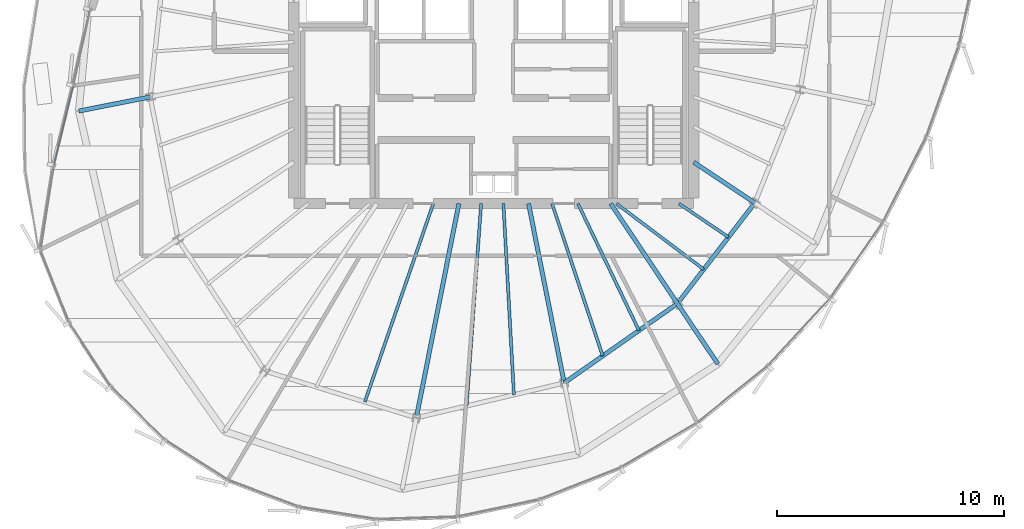
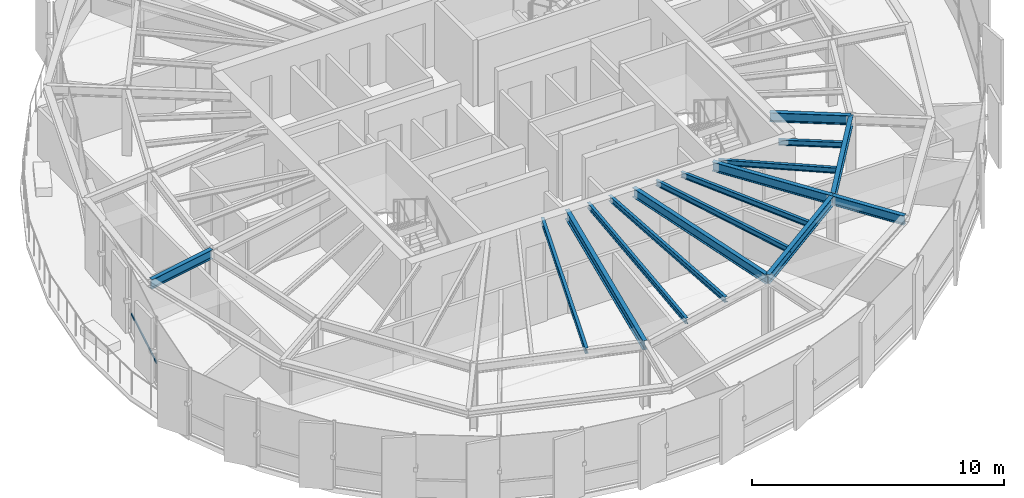
# One storey, part 8 of 36: 15 beams, 1 member, 1 element without a shape of its own.
"""IFC4 building model written with IfcOpenShell, lengths in metres."""

import ifcopenshell
import ifcopenshell.guid

model = None  # the IFC model being written
_history = None  # IfcOwnerHistory: only IFC2X3 demands one
_inside = {}  # id of a spatial element -> (the spatial element, [elements in it])
_under = {}  # id of a project, library or spatial element -> (it, [spatial elements below it])
_declared = {}  # id of a project -> (the project, [libraries it declares])
_typed = {}  # id of a type object -> (the type object, [elements of that type])
_made_of = {}  # id of a material, layer set ... -> (it, [elements and type objects made of it])


def new_model(schema):
    """Start an empty IFC model of exactly this schema.

    Asked for "IFC4X3", IfcOpenShell would pick the latest addendum, in which some entities
    have other attributes; the version numbers below select the first issue.
    IFC2X3 requires an IfcOwnerHistory on every rooted entity: one is made here for all.
    """
    global model, _history
    if schema == "IFC4X3":
        model = ifcopenshell.file(schema_version=(4, 3, 0, 0))
    else:
        model = ifcopenshell.file(schema=schema)
    _inside.clear()
    _under.clear()
    _declared.clear()
    _typed.clear()
    _made_of.clear()
    _history = None
    if model.schema == "IFC2X3":
        org = make("IfcOrganization", Name="unknown")
        user = make(
            "IfcPersonAndOrganization",
            ThePerson=make("IfcPerson", FamilyName="unknown"),
            TheOrganization=org,
        )
        app = make(
            "IfcApplication",
            ApplicationDeveloper=org,
            Version="unknown",
            ApplicationFullName="unknown",
            ApplicationIdentifier="unknown",
        )
        _history = make(
            "IfcOwnerHistory",
            OwningUser=user,
            OwningApplication=app,
            ChangeAction="ADDED",
            CreationDate=0,
        )
    return model


def make(cls, **values):
    """One entity of the class cls with the attributes given. An attribute that is None is left unset."""
    return model.create_entity(
        cls, **{name: value for name, value in values.items() if value is not None}
    )


def rooted(cls, **values):
    """An entity with a GlobalId (a new one), such as an element, a storey or a relation."""
    return make(cls, GlobalId=ifcopenshell.guid.new(), OwnerHistory=_history, **values)


def si_unit(unit_type, name, prefix=None):
    """IfcSIUnit, for example si_unit("LENGTHUNIT", "METRE", prefix="MILLI")."""
    return make("IfcSIUnit", UnitType=unit_type, Prefix=prefix, Name=name)


def assignment(units):
    """IfcUnitAssignment: the units of a project."""
    return None if units is None else make("IfcUnitAssignment", Units=units)


def point(xyz):
    """IfcCartesianPoint."""
    return None if xyz is None else make("IfcCartesianPoint", Coordinates=xyz)


def direction(xyz):
    """IfcDirection."""
    return None if xyz is None else make("IfcDirection", DirectionRatios=xyz)


def frame(location, z_axis=None, x_axis=None):
    """IfcAxis2Placement3D, a coordinate frame: its origin and axes. An axis left out is left unset."""
    return make(
        "IfcAxis2Placement3D",
        Location=point(location),
        Axis=direction(z_axis),
        RefDirection=direction(x_axis),
    )


def frame_2d(location, x_axis=None):
    """IfcAxis2Placement2D, a coordinate frame in the plane: its origin and x axis."""
    return make(
        "IfcAxis2Placement2D", Location=point(location), RefDirection=direction(x_axis)
    )


def origin():
    """The frame at (0, 0, 0) with its axes left unset."""
    return frame((0.0, 0.0, 0.0))


def origin_2d():
    """The frame at (0, 0) in the plane with its x axis left unset."""
    return frame_2d((0.0, 0.0))


def place(relative_to, where):
    """IfcLocalPlacement: puts the frame where relative to a parent placement (None: the world)."""
    return make(
        "IfcLocalPlacement", PlacementRelTo=relative_to, RelativePlacement=where
    )


def context(
    kind, dimensions, precision=None, world=None, true_north=None, identifier=None
):
    """IfcGeometricRepresentationContext, for example the 3D "Model" context."""
    return make(
        "IfcGeometricRepresentationContext",
        ContextIdentifier=identifier,
        ContextType=kind,
        CoordinateSpaceDimension=dimensions,
        Precision=precision,
        WorldCoordinateSystem=world,
        TrueNorth=true_north,
    )


def subcontext(parent, identifier, kind, view, scale=None):
    """IfcGeometricRepresentationSubContext, for example "Body" below "Model"."""
    return make(
        "IfcGeometricRepresentationSubContext",
        ContextIdentifier=identifier,
        ContextType=kind,
        ParentContext=parent,
        TargetScale=scale,
        TargetView=view,
    )


def project(units=None, contexts=None):
    """IfcProject with its units and contexts."""
    return rooted(
        "IfcProject",
        Name="project",
        RepresentationContexts=contexts,
        UnitsInContext=assignment(units),
    )


def spatial(cls, under=None, at=None, **own):
    """A site, building, storey or space (cls), placed at a placement, below another one or the project."""
    s = rooted(cls, ObjectPlacement=at, **own)
    if under is not None:
        _under.setdefault(under.id(), (under, []))[1].append(s)
    return s


def profile(cls, at=None, kind="AREA", **sizes):
    """A parametric profile (cls). Its sizes go by their IFC names, for example OverallWidth=200.0."""
    return make(cls, ProfileType=kind, Position=at, **sizes)


def hollow_rectangle(**sizes):
    """IfcRectangleHollowProfileDef."""
    return profile("IfcRectangleHollowProfileDef", **sizes)


def i_section(**sizes):
    """IfcIShapeProfileDef."""
    return profile("IfcIShapeProfileDef", **sizes)


def extrude(swept, where, along, depth):
    """IfcExtrudedAreaSolid: the profile swept, set in the frame where, extruded along a direction by depth."""
    return make(
        "IfcExtrudedAreaSolid",
        SweptArea=swept,
        Position=where,
        ExtrudedDirection=direction(along),
        Depth=depth,
    )


def shape(context_of_items, identifier, shape_type, items):
    """IfcShapeRepresentation: the items that make up one representation, for example the "Body"."""
    return make(
        "IfcShapeRepresentation",
        ContextOfItems=context_of_items,
        RepresentationIdentifier=identifier,
        RepresentationType=shape_type,
        Items=items,
    )


def source(mapping_origin, context_of_items, identifier, shape_type, items):
    """IfcRepresentationMap: a shape defined once, which mapped items show again and again."""
    return make(
        "IfcRepresentationMap",
        MappingOrigin=mapping_origin,
        MappedRepresentation=shape(context_of_items, identifier, shape_type, items),
    )


def transform(
    local_origin,
    x_axis=None,
    y_axis=None,
    z_axis=None,
    scale=None,
    scale2=None,
    scale3=None,
    uniform=True,
):
    """IfcCartesianTransformationOperator3D, or its non-uniform kind. x_axis, y_axis, z_axis: its Axis1, 2, 3."""
    if uniform:
        return make(
            "IfcCartesianTransformationOperator3D",
            Axis1=direction(x_axis),
            Axis2=direction(y_axis),
            LocalOrigin=point(local_origin),
            Scale=scale,
            Axis3=direction(z_axis),
        )
    return make(
        "IfcCartesianTransformationOperator3DnonUniform",
        Axis1=direction(x_axis),
        Axis2=direction(y_axis),
        LocalOrigin=point(local_origin),
        Scale=scale,
        Axis3=direction(z_axis),
        Scale2=scale2,
        Scale3=scale3,
    )


def mapped(mapping_source, mapping_target):
    """IfcMappedItem: shows the shape of a source again, moved by a transform."""
    return make(
        "IfcMappedItem", MappingSource=mapping_source, MappingTarget=mapping_target
    )


def material(Name=None, Category=None):
    """IfcMaterial."""
    return make("IfcMaterial", Name=Name, Category=Category)


def layer(
    of_material, thickness, ventilated=None, Name=None, Category=None, Priority=None
):
    """IfcMaterialLayer: one layer of a wall or slab, of a material (None: an air gap)."""
    return make(
        "IfcMaterialLayer",
        Material=of_material,
        LayerThickness=thickness,
        IsVentilated=ventilated,
        Name=Name,
        Category=Category,
        Priority=Priority,
    )


def layer_set(layers, Name=None):
    """IfcMaterialLayerSet."""
    return make("IfcMaterialLayerSet", MaterialLayers=layers, LayerSetName=Name)


def material_profile(
    of_material, cross_section, Name=None, Category=None, Priority=None
):
    """IfcMaterialProfile: a cross section and its material."""
    return make(
        "IfcMaterialProfile",
        Name=Name,
        Material=of_material,
        Profile=cross_section,
        Priority=Priority,
        Category=Category,
    )


def profile_set(profiles, Name=None, composite=None):
    """IfcMaterialProfileSet."""
    return make(
        "IfcMaterialProfileSet",
        Name=Name,
        MaterialProfiles=profiles,
        CompositeProfile=composite,
    )


def made_of(thing, what):
    """Note that an element or type object is made of a material, layer set ...; save() writes the relation."""
    if what is not None:
        _made_of.setdefault(what.id(), (what, []))[1].append(thing)
    return thing


def type_object(cls, material=None, **own):
    """A type object (cls), such as IfcWallType, which elements share."""
    return made_of(rooted(cls, **own), material)


def element(
    cls,
    number,
    at=None,
    inside=None,
    cuts=None,
    type_object=None,
    material=None,
    context=None,
    identifier="Body",
    shape_type=None,
    held_by="IfcProductDefinitionShape",
    body=None,
    shapes=None,
    **own,
):
    """One element of the class cls, such as IfcWall. Its Tag is "e" and its number.

    at: its placement. inside: the storey or other place that contains it. cuts: it is an
    opening in that element (IfcRelVoidsElement). A single representation is given by context,
    identifier, shape_type and body (its items); several are given by shapes. held_by: the class
    of the entity that holds the representations. save() writes the other relations.
    """
    e = rooted(cls, Tag="e%d" % number, ObjectPlacement=at, **own)
    if body is not None:
        shapes = [shape(context, identifier, shape_type, body)]
    if shapes is not None:
        e.Representation = make(held_by, Representations=shapes)
    if inside is not None:
        _inside.setdefault(inside.id(), (inside, []))[1].append(e)
    if cuts is not None:
        rooted(
            "IfcRelVoidsElement", RelatingBuildingElement=cuts, RelatedOpeningElement=e
        )
    if type_object is not None:
        _typed.setdefault(type_object.id(), (type_object, []))[1].append(e)
    return made_of(e, material)


def aggregate(whole, parts):
    """IfcRelAggregates: a whole, such as a stair, and the parts it consists of."""
    return rooted("IfcRelAggregates", RelatingObject=whole, RelatedObjects=parts)


def save(model, path):
    """Write the relations noted so far, then the file.

    IfcRelAggregates (storeys below a building ...), IfcRelContainedInSpatialStructure (elements
    in a storey), IfcRelDefinesByType, IfcRelAssociatesMaterial and IfcRelDeclares: one each for
    every whole, place, type object, material and project.
    """
    for whole, parts in _under.values():
        aggregate(whole, parts)
    for where, things in _inside.values():
        rooted(
            "IfcRelContainedInSpatialStructure",
            RelatedElements=things,
            RelatingStructure=where,
        )
    for kind, things in _typed.values():
        rooted("IfcRelDefinesByType", RelatedObjects=things, RelatingType=kind)
    for what, things in _made_of.values():
        rooted("IfcRelAssociatesMaterial", RelatedObjects=things, RelatingMaterial=what)
    for by, libraries in _declared.values():
        rooted("IfcRelDeclares", RelatingContext=by, RelatedDefinitions=libraries)
    model.write(path)


model = new_model("IFC4")

# Units and contexts
model_context = context("Model", 3, precision=1e-05, world=origin(), true_north=direction((0.0, 1.0)))
body_context = subcontext(model_context, "Body", "Model", "MODEL_VIEW")
ifc_project = project(units=[si_unit("LENGTHUNIT", "METRE"), si_unit("AREAUNIT", "SQUARE_METRE"), si_unit("VOLUMEUNIT", "CUBIC_METRE"), si_unit("PLANEANGLEUNIT", "RADIAN"), si_unit("MASSUNIT", "GRAM", prefix="KILO"), si_unit("THERMODYNAMICTEMPERATUREUNIT", "KELVIN")], contexts=[model_context])

# Site, building, storey
site_placement = place(None, origin())
site = spatial("IfcSite", under=ifc_project, at=site_placement, CompositionType="ELEMENT")
building_placement = place(site_placement, origin())
building = spatial("IfcBuilding", under=site, at=building_placement, Name="Kethvar Cultural Tower", CompositionType="ELEMENT")
storey_placement = place(building_placement, frame((0.0, 0.0, 242.199951171875)))
storey = spatial("IfcBuildingStorey", under=building, at=storey_placement, Name="L63", CompositionType="ELEMENT", Elevation=242.199951171875)

# Beams
ifc_material_1 = material(Name="Steel S355J2", Category="steel")
ifc_material_profile_1 = material_profile(ifc_material_1, i_section(OverallWidth=0.18994140625, OverallDepth=0.449951171875, WebThickness=0.009521484375, FlangeThickness=0.0146484375, FilletRadius=0.02099609375, at=origin_2d()), Name="Steel S355J2 — IPE450")
ifc_profile_set_1 = profile_set([ifc_material_profile_1], Name="Steel S355J2 — IPE450")
beam_type_1 = type_object("IfcBeamType", Name="BM-IPE450", PredefinedType="BEAM", material=ifc_profile_set_1)
shared_shape_1 = source(origin(), body_context, "Body", "SweptSolid", [
    extrude(i_section(OverallWidth=0.18994140625, OverallDepth=0.449951171875, WebThickness=0.009521484375, FlangeThickness=0.0146484375, FilletRadius=0.02099609375, at=origin_2d()), origin(), (0.0, 0.0, 1.0), 3.199951171875),
])
beam_1_placement = place(storey_placement, frame((54.885009765625, 15.7001953125, 2.983154296875), z_axis=(0.555492222339, -0.83152173208, 0.0), x_axis=(0.83152173208, 0.555492222339, 0.0)))
element("IfcBeam", 1, at=beam_1_placement, inside=storey, type_object=beam_type_1, Name="L63 Perimeter Cantilever Beam RC-14", PredefinedType="BEAM", context=body_context, shape_type="MappedRepresentation", body=[
    mapped(shared_shape_1, transform((0.0, 0.0, 0.0), scale=1.0)),
])
shared_shape_2 = source(origin(), body_context, "Body", "SweptSolid", [
    extrude(i_section(OverallWidth=0.18994140625, OverallDepth=0.449951171875, WebThickness=0.009521484375, FlangeThickness=0.0146484375, FilletRadius=0.02099609375, at=origin_2d()), origin(), (0.0, 0.0, 1.0), 3.2001953125),
])
beam_2_placement = place(storey_placement, frame((31.68310546875, 24.79296875, 2.983154296875), z_axis=(-0.980788453702, -0.195074368086, 0.0), x_axis=(0.195074368086, -0.980788453702, 0.0)))
element("IfcBeam", 2, at=beam_2_placement, inside=storey, type_object=beam_type_1, Name="L63 Perimeter Cantilever Beam RC-09", PredefinedType="BEAM", context=body_context, shape_type="MappedRepresentation", body=[
    mapped(shared_shape_2, transform((0.0, 0.0, 0.0), scale=1.0)),
])
shared_shape_3 = source(origin(), body_context, "Body", "SweptSolid", [
    extrude(i_section(OverallWidth=0.18994140625, OverallDepth=0.449951171875, WebThickness=0.009521484375, FlangeThickness=0.0146484375, FilletRadius=0.02099609375, at=origin_2d()), origin(), (0.0, 0.0, 1.0), 9.613525390625),
])
beam_3_placement = place(storey_placement, frame((45.268310546875, 20.10009765625, 2.983154296875), z_axis=(-0.195090428816, -0.980785259159, 0.0), x_axis=(0.980785259159, -0.195090428816, 0.0)))
element("IfcBeam", 3, at=beam_3_placement, inside=storey, type_object=beam_type_1, Name="L63 Primary Radial Beam RB-12", PredefinedType="BEAM", context=body_context, shape_type="MappedRepresentation", body=[
    mapped(shared_shape_3, transform((0.0, 0.0, 0.0), scale=1.0)),
])
shared_shape_4 = source(origin(), body_context, "Body", "SweptSolid", [
    extrude(i_section(OverallWidth=0.18994140625, OverallDepth=0.449951171875, WebThickness=0.009521484375, FlangeThickness=0.0146484375, FilletRadius=0.02099609375, at=origin_2d()), origin(), (0.0, 0.0, 1.0), 8.0478515625),
])
beam_4_placement = place(storey_placement, frame((48.33154296875, 20.10009765625, 2.983154296875), z_axis=(0.195089278796, -0.980785487912, 0.0), x_axis=(0.980785487912, 0.195089278796, 0.0)))
element("IfcBeam", 4, at=beam_4_placement, inside=storey, type_object=beam_type_1, Name="L63 Primary Radial Beam RB-13", PredefinedType="BEAM", context=body_context, shape_type="MappedRepresentation", body=[
    mapped(shared_shape_4, transform((0.0, 0.0, 0.0), scale=1.0)),
])
shared_shape_5 = source(origin(), body_context, "Body", "SweptSolid", [
    extrude(i_section(OverallWidth=0.18994140625, OverallDepth=0.449951171875, WebThickness=0.009521484375, FlangeThickness=0.0146484375, FilletRadius=0.02099609375, at=origin_2d()), origin(), (0.0, 0.0, 1.0), 5.291748046875),
])
beam_5_placement = place(storey_placement, frame((51.945068359375, 20.10009765625, 2.983154296875), z_axis=(0.555572931011, -0.831467809556, 0.0), x_axis=(0.831467809556, 0.555572931011, 0.0)))
element("IfcBeam", 5, at=beam_5_placement, inside=storey, type_object=beam_type_1, Name="L63 Primary Radial Beam RB-14", PredefinedType="BEAM", context=body_context, shape_type="MappedRepresentation", body=[
    mapped(shared_shape_5, transform((0.0, 0.0, 0.0), scale=1.0)),
])
shared_shape_6 = source(origin(), body_context, "Body", "SweptSolid", [
    extrude(i_section(OverallWidth=0.18994140625, OverallDepth=0.449951171875, WebThickness=0.009521484375, FlangeThickness=0.0146484375, FilletRadius=0.02099609375, at=origin_2d()), origin(), (0.0, 0.0, 1.0), 3.231689453125),
])
beam_6_placement = place(storey_placement, frame((55.60009765625, 21.919921875, 2.983154296875), z_axis=(0.831468708055, -0.55557158632, 0.0), x_axis=(0.55557158632, 0.831468708055, 0.0)))
element("IfcBeam", 6, at=beam_6_placement, inside=storey, type_object=beam_type_1, Name="L63 Primary Radial Beam RB-15", PredefinedType="BEAM", context=body_context, shape_type="MappedRepresentation", body=[
    mapped(shared_shape_6, transform((0.0, 0.0, 0.0), scale=1.0)),
])
ifc_material_profile_2 = material_profile(ifc_material_1, i_section(OverallWidth=0.135009765625, OverallDepth=0.27001953125, WebThickness=0.006591796875, FlangeThickness=0.01025390625, FilletRadius=0.014892578125, at=origin_2d()), Name="Steel S355J2 — IPE270")
ifc_profile_set_2 = profile_set([ifc_material_profile_2], Name="Steel S355J2 — IPE270")
beam_type_2 = type_object("IfcBeamType", Name="BM-J270", PredefinedType="JOIST", material=ifc_profile_set_2)
shared_shape_7 = source(origin(), body_context, "Body", "SweptSolid", [
    extrude(i_section(OverallWidth=0.135009765625, OverallDepth=0.27001953125, WebThickness=0.006591796875, FlangeThickness=0.01025390625, FilletRadius=0.014892578125, at=origin_2d()), origin(), (0.0, 0.0, 1.0), 9.234130859375),
])
beam_7_placement = place(storey_placement, frame((44.1416015625, 20.10009765625, 3.072998046875), z_axis=(-0.326362208058, -0.945244787953, 0.0), x_axis=(0.945244787953, -0.326362208058, 0.0)))
element("IfcBeam", 7, at=beam_7_placement, inside=storey, type_object=beam_type_2, Name="L63 Composite Floor Joist J-11B", PredefinedType="JOIST", context=body_context, shape_type="MappedRepresentation", body=[
    mapped(shared_shape_7, transform((0.0, 0.0, 0.0), scale=1.0)),
])
shared_shape_8 = source(origin(), body_context, "Body", "SweptSolid", [
    extrude(i_section(OverallWidth=0.135009765625, OverallDepth=0.27001953125, WebThickness=0.006591796875, FlangeThickness=0.01025390625, FilletRadius=0.014892578125, at=origin_2d()), origin(), (0.0, 0.0, 1.0), 8.9296875),
])
beam_8_placement = place(storey_placement, frame((46.246337890625, 20.10009765625, 3.072998046875), z_axis=(-0.071713352262, -0.99742528297, 0.0), x_axis=(0.99742528297, -0.071713352262, 0.0)))
element("IfcBeam", 8, at=beam_8_placement, inside=storey, type_object=beam_type_2, Name="L63 Composite Floor Joist J-12A", PredefinedType="JOIST", context=body_context, shape_type="MappedRepresentation", body=[
    mapped(shared_shape_8, transform((0.0, 0.0, 0.0), scale=1.0)),
])
shared_shape_9 = source(origin(), body_context, "Body", "SweptSolid", [
    extrude(i_section(OverallWidth=0.135009765625, OverallDepth=0.27001953125, WebThickness=0.006591796875, FlangeThickness=0.01025390625, FilletRadius=0.014892578125, at=origin_2d()), origin(), (0.0, 0.0, 1.0), 8.427978515625),
])
beam_9_placement = place(storey_placement, frame((47.224609375, 20.10009765625, 3.072998046875), z_axis=(0.055067321535, -0.998482643865, 0.0), x_axis=(0.998482643865, 0.055067321535, 0.0)))
element("IfcBeam", 9, at=beam_9_placement, inside=storey, type_object=beam_type_2, Name="L63 Composite Floor Joist J-12B", PredefinedType="JOIST", context=body_context, shape_type="MappedRepresentation", body=[
    mapped(shared_shape_9, transform((0.0, 0.0, 0.0), scale=1.0)),
])
shared_shape_10 = source(origin(), body_context, "Body", "SweptSolid", [
    extrude(i_section(OverallWidth=0.18994140625, OverallDepth=0.449951171875, WebThickness=0.009521484375, FlangeThickness=0.0146484375, FilletRadius=0.02099609375, at=origin_2d()), origin(), (0.0, 0.0, 1.0), 6.0859375),
])
beam_10_placement = place(storey_placement, frame((49.901611328125, 12.206787109375, 2.983154296875), z_axis=(0.818843498091, 0.57401683393, 0.0), x_axis=(-0.57401683393, 0.818843498091, 0.0)))
element("IfcBeam", 10, at=beam_10_placement, inside=storey, type_object=beam_type_1, Name="L63 Column Ring Tie Beam CR-13", PredefinedType="BEAM", context=body_context, shape_type="MappedRepresentation", body=[
    mapped(shared_shape_10, transform((0.0, 0.0, 0.0), scale=1.0)),
])
shared_shape_11 = source(origin(), body_context, "Body", "SweptSolid", [
    extrude(i_section(OverallWidth=0.135009765625, OverallDepth=0.27001953125, WebThickness=0.006591796875, FlangeThickness=0.01025390625, FilletRadius=0.014892578125, at=origin_2d()), origin(), (0.0, 0.0, 1.0), 7.0673828125),
])
beam_11_placement = place(storey_placement, frame((49.363525390625, 20.10009765625, 3.072998046875), z_axis=(0.315875389768, -0.948800684095, 0.0), x_axis=(0.948800684095, 0.315875389768, 0.0)))
element("IfcBeam", 11, at=beam_11_placement, inside=storey, type_object=beam_type_2, Name="L63 Composite Floor Joist J-13A", PredefinedType="JOIST", context=body_context, shape_type="MappedRepresentation", body=[
    mapped(shared_shape_11, transform((0.0, 0.0, 0.0), scale=1.0)),
])
shared_shape_12 = source(origin(), body_context, "Body", "SweptSolid", [
    extrude(i_section(OverallWidth=0.135009765625, OverallDepth=0.27001953125, WebThickness=0.006591796875, FlangeThickness=0.01025390625, FilletRadius=0.014892578125, at=origin_2d()), origin(), (0.0, 0.0, 1.0), 6.2001953125),
])
beam_12_placement = place(storey_placement, frame((50.50341796875, 20.10009765625, 3.072998046875), z_axis=(0.433410678328, -0.901196529017, 0.0), x_axis=(0.901196529017, 0.433410678328, 0.0)))
element("IfcBeam", 12, at=beam_12_placement, inside=storey, type_object=beam_type_2, Name="L63 Composite Floor Joist J-13B", PredefinedType="JOIST", context=body_context, shape_type="MappedRepresentation", body=[
    mapped(shared_shape_12, transform((0.0, 0.0, 0.0), scale=1.0)),
])
shared_shape_13 = source(origin(), body_context, "Body", "SweptSolid", [
    extrude(i_section(OverallWidth=0.18994140625, OverallDepth=0.449951171875, WebThickness=0.009521484375, FlangeThickness=0.0146484375, FilletRadius=0.02099609375, at=origin_2d()), origin(), (0.0, 0.0, 1.0), 5.5810546875),
])
beam_13_placement = place(storey_placement, frame((54.885009765625, 15.7001953125, 2.983154296875), z_axis=(0.60957334008, 0.79272967843, 0.0), x_axis=(-0.79272967843, 0.60957334008, 0.0)))
element("IfcBeam", 13, at=beam_13_placement, inside=storey, type_object=beam_type_1, Name="L63 Column Ring Tie Beam CR-14", PredefinedType="BEAM", context=body_context, shape_type="MappedRepresentation", body=[
    mapped(shared_shape_13, transform((0.0, 0.0, 0.0), scale=1.0)),
])
shared_shape_14 = source(origin(), body_context, "Body", "SweptSolid", [
    extrude(i_section(OverallWidth=0.135009765625, OverallDepth=0.27001953125, WebThickness=0.006591796875, FlangeThickness=0.01025390625, FilletRadius=0.014892578125, at=origin_2d()), origin(), (0.0, 0.0, 1.0), 4.810791015625),
])
beam_14_placement = place(storey_placement, frame((52.199951171875, 20.10009765625, 3.072998046875), z_axis=(0.798542152732, -0.601938892505, 0.0), x_axis=(0.601938892505, 0.798542152732, 0.0)))
element("IfcBeam", 14, at=beam_14_placement, inside=storey, type_object=beam_type_2, Name="L63 Composite Floor Joist J-14A", PredefinedType="JOIST", context=body_context, shape_type="MappedRepresentation", body=[
    mapped(shared_shape_14, transform((0.0, 0.0, 0.0), scale=1.0)),
])
shared_shape_15 = source(origin(), body_context, "Body", "SweptSolid", [
    extrude(i_section(OverallWidth=0.135009765625, OverallDepth=0.27001953125, WebThickness=0.006591796875, FlangeThickness=0.01025390625, FilletRadius=0.014892578125, at=origin_2d()), origin(), (0.0, 0.0, 1.0), 2.635009765625),
])
beam_15_placement = place(storey_placement, frame((54.949951171875, 20.10009765625, 3.072998046875), z_axis=(0.827446562598, -0.561544464887, 0.0), x_axis=(0.561544464887, 0.827446562598, 0.0)))
element("IfcBeam", 15, at=beam_15_placement, inside=storey, type_object=beam_type_2, Name="L63 Composite Floor Joist J-14B", PredefinedType="JOIST", context=body_context, shape_type="MappedRepresentation", body=[
    mapped(shared_shape_15, transform((0.0, 0.0, 0.0), scale=1.0)),
])

# Curtain wall, member
ifc_material_2 = material(Name="Aluminium 6063-T6", Category="aluminium")
ifc_layer = layer(ifc_material_2, 0.179931640625, Name="Aluminium 6063-T6", Category="aluminium")
ifc_layer_set = layer_set([ifc_layer], Name="Aluminium 6063-T6 (180 mm)")
curtain_wall_type = type_object("IfcCurtainWallType", Name="CW-SYS-05-Z56", PredefinedType="NOTDEFINED", material=ifc_layer_set)
curtain_wall_placement = place(storey_placement, origin())
curtain_wall = element("IfcCurtainWall", 16, at=curtain_wall_placement, inside=storey, type_object=curtain_wall_type, Name="L63 Curtain Wall Run 03", PredefinedType="NOTDEFINED")
ifc_material_profile_3 = material_profile(ifc_material_2, hollow_rectangle(XDim=0.050048828125, YDim=0.10009765625, WallThickness=0.00390625, at=origin_2d()), Name="Aluminium 6063-T6 — RHS100x50x4")
ifc_profile_set_3 = profile_set([ifc_material_profile_3], Name="Aluminium 6063-T6 — RHS100x50x4")
member_type = type_object("IfcMemberType", Name="CW-SYS-05-Z56-TRN", PredefinedType="USERDEFINED", material=ifc_profile_set_3)
shared_shape_16 = source(origin(), body_context, "Body", "SweptSolid", [
    extrude(hollow_rectangle(XDim=0.050048828125, YDim=0.10009765625, WallThickness=0.00390625, at=origin_2d()), origin(), (0.0, 0.0, 1.0), 3.527587890625),
])
member_placement = place(storey_placement, frame((28.29150390625, 25.250244140625, 0.949951171875), z_axis=(-0.236342749248, -0.971669750933, 0.0), x_axis=(0.971669750933, -0.236342749248, 0.0)))
member = element("IfcMember", 17, at=member_placement, type_object=member_type, Name="CW-L63-R03 Transom 2", ObjectType="TRANSOM", PredefinedType="USERDEFINED", context=body_context, shape_type="MappedRepresentation", body=[
    mapped(shared_shape_16, transform((0.0, 0.0, 0.0), scale=1.0)),
])
aggregate(curtain_wall, [member])

save(model, "model.ifc")
